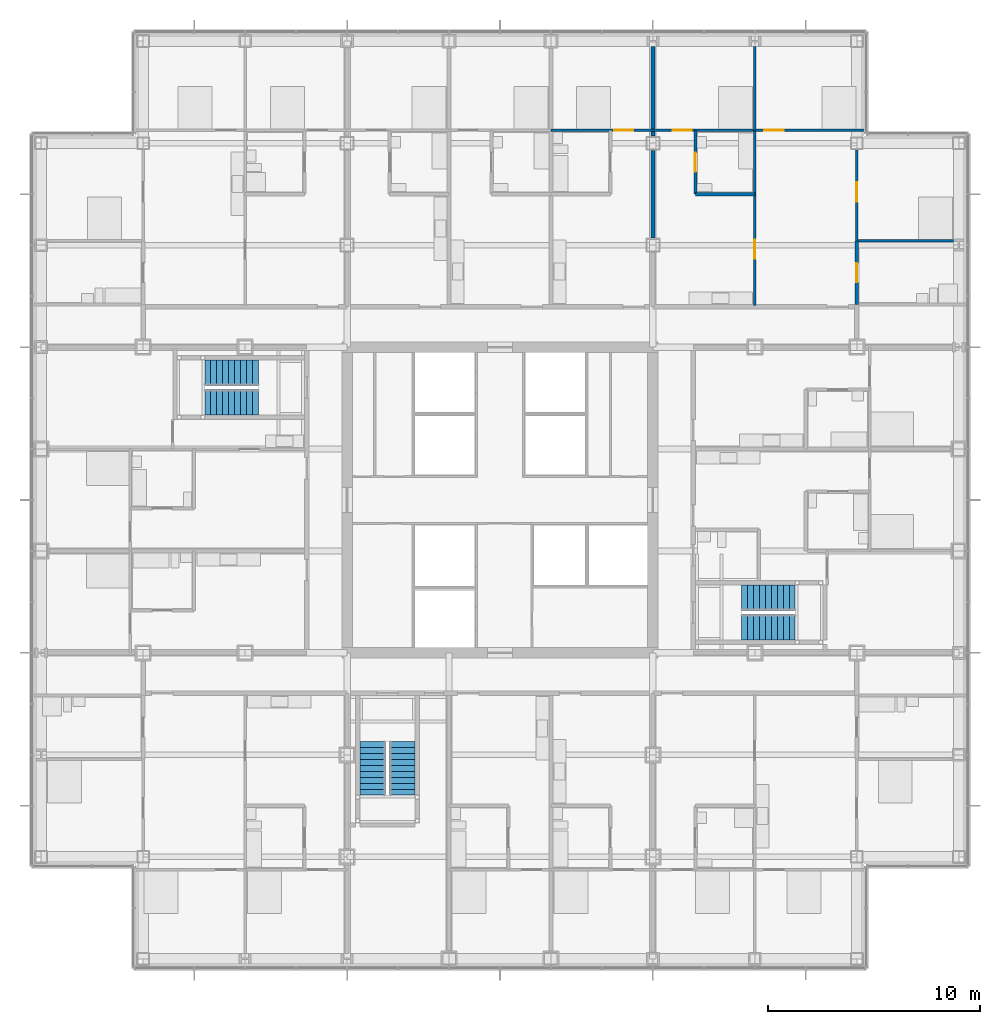
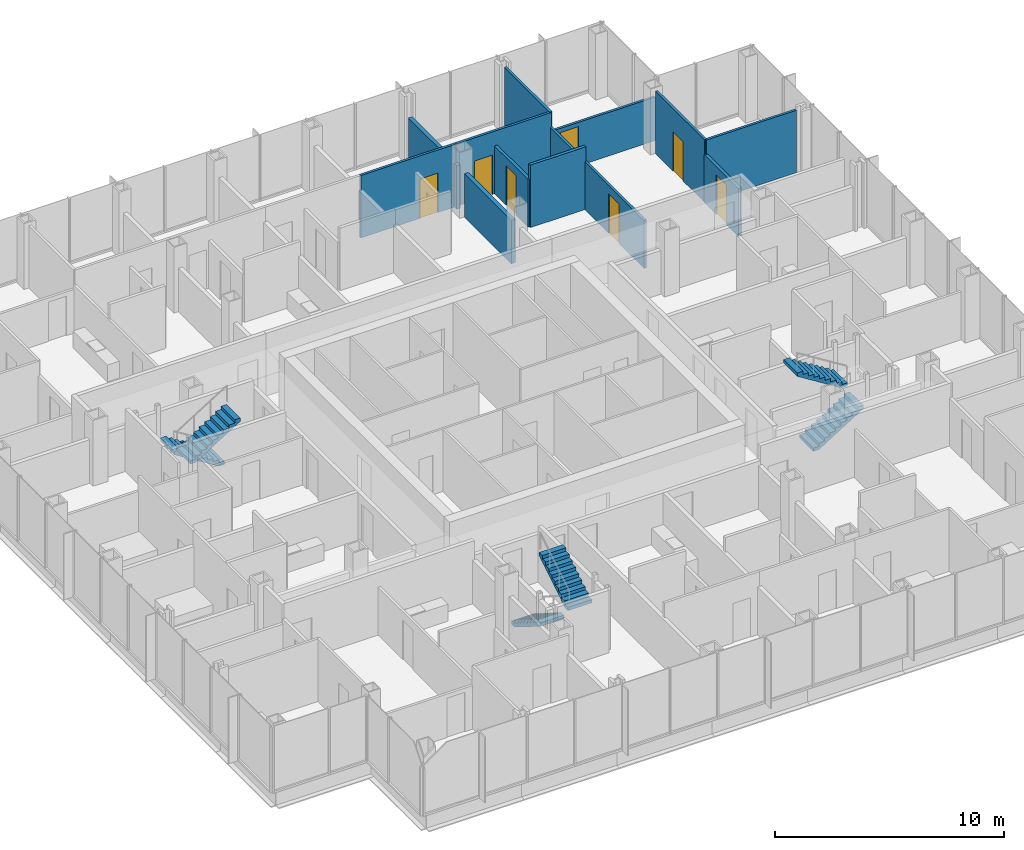
# One storey, part 18 of 21: 12 walls, 7 doors, 6 stair flights, 7 openings, 3 elements without a shape of their own.
"""IFC4 building model written with IfcOpenShell, lengths in metres."""

from ifc_helpers import new_model, si_unit, direction, frame, frame_2d, origin, place, context, subcontext, project, spatial, polyline, rectangle, outline, extrude, material, layer, layer_set, type_object, element, fill, aggregate, save


model = new_model("IFC4")

# Units and contexts
model_context = context("Model", 3, precision=1e-05, world=origin(), true_north=direction((0.0, 1.0)))
body_context = subcontext(model_context, "Body", "Model", "MODEL_VIEW")
ifc_project = project(units=[si_unit("LENGTHUNIT", "METRE"), si_unit("AREAUNIT", "SQUARE_METRE"), si_unit("VOLUMEUNIT", "CUBIC_METRE"), si_unit("PLANEANGLEUNIT", "RADIAN"), si_unit("MASSUNIT", "GRAM", prefix="KILO")], contexts=[model_context])

# Site, building, storey
site_placement = place(None, origin())
site = spatial("IfcSite", under=ifc_project, at=site_placement, CompositionType="ELEMENT")
building_placement = place(site_placement, origin())
building = spatial("IfcBuilding", under=site, at=building_placement, Name="Kvirike Care Tower", CompositionType="ELEMENT")
storey_placement = place(building_placement, frame((0.0, 0.0, 48.0)))
storey = spatial("IfcBuildingStorey", under=building, at=storey_placement, Name="L12", CompositionType="ELEMENT", Elevation=48.0)

# Wall, opening, door
ifc_material_1 = material(Name="Moisture-resistant board partition", Category="gypsum")
ifc_layer_1 = layer(ifc_material_1, 0.14990234375)
ifc_layer_set_1 = layer_set([ifc_layer_1], Name="BATHROOM WALL 150")
wall_type_1 = type_object("IfcWallType", Name="BATHROOM WALL 150", PredefinedType="PARTITIONING", material=ifc_layer_set_1)
wall_1_placement = place(storey_placement, frame((38.39990234375, 48.199951171875, 0.0), z_axis=(0.0, 0.0, 1.0), x_axis=(0.0, -1.0, 0.0)))
wall_1 = element("IfcWall", 1, at=wall_1_placement, inside=storey, type_object=wall_type_1, Name="Bathroom Wall 150 L12", PredefinedType="PARTITIONING", context=body_context, shape_type="SweptSolid", body=[
    extrude(rectangle(XDim=3.0, YDim=0.14990234375, at=frame_2d((1.5, 0.0))), origin(), (0.0, 0.0, 1.0), 2.550048828125),
])
opening_1_placement = place(wall_1_placement, frame((1.050048828125, 0.0, 0.0)))
opening_1 = element("IfcOpeningElement", 2, at=opening_1_placement, cuts=wall_1, Name="Opening 12-057", PredefinedType="OPENING", context=body_context, shape_type="SweptSolid", body=[
    extrude(rectangle(XDim=0.89990234375, YDim=2.10009765625, at=frame_2d((0.449951171875, 1.050048828125))), frame((0.0, 0.08544921875, 0.0), z_axis=(0.0, -1.0, 0.0), x_axis=(1.0, 0.0, 0.0)), (0.0, 0.0, 1.0), 0.1708984375),
])
ifc_material_2 = material(Name="Timber door set", Category="wood")
door_type_1 = type_object("IfcDoorType", Name="BATHROOM DOOR 900", OperationType="SINGLE_SWING_RIGHT", PredefinedType="DOOR", material=ifc_material_2)
door_1_placement = place(opening_1_placement, origin())
door_1 = element("IfcDoor", 3, at=door_1_placement, inside=storey, type_object=door_type_1, Name="Shower room door", OperationType="SINGLE_SWING_RIGHT", OverallHeight=2.10009765625, OverallWidth=0.89990234375, PredefinedType="DOOR", context=body_context, shape_type="SweptSolid", body=[
    extrude(rectangle(XDim=0.89990234375, YDim=2.10009765625, at=frame_2d((0.449951171875, 1.050048828125))), frame((0.0, 0.02197265625, 0.0), z_axis=(0.0, -1.0, 0.0), x_axis=(1.0, 0.0, 0.0)), (0.0, 0.0, 1.0), 0.0439453125),
])
fill(opening_1, door_1)

wall_2_placement = place(storey_placement, frame((30.800048828125, 53.39990234375, 0.0), z_axis=(0.0, 0.0, 1.0), x_axis=(0.0, -1.0, 0.0)))
wall_2 = element("IfcWall", 4, at=wall_2_placement, inside=storey, type_object=wall_type_1, Name="Bathroom Wall 150 L12", PredefinedType="PARTITIONING", context=body_context, shape_type="SweptSolid", body=[
    extrude(rectangle(XDim=3.0, YDim=0.14990234375, at=frame_2d((1.5, 0.0))), origin(), (0.0, 0.0, 1.0), 2.550048828125),
])
opening_2_placement = place(wall_2_placement, frame((1.050048828125, 0.0, 0.0)))
opening_2 = element("IfcOpeningElement", 5, at=opening_2_placement, cuts=wall_2, Name="Opening 12-058", PredefinedType="OPENING", context=body_context, shape_type="SweptSolid", body=[
    extrude(rectangle(XDim=0.89990234375, YDim=2.10009765625, at=frame_2d((0.449951171875, 1.050048828125))), frame((0.0, 0.08544921875, 0.0), z_axis=(0.0, -1.0, 0.0), x_axis=(1.0, 0.0, 0.0)), (0.0, 0.0, 1.0), 0.1708984375),
])
door_2_placement = place(opening_2_placement, origin())
door_2 = element("IfcDoor", 6, at=door_2_placement, inside=storey, type_object=door_type_1, Name="Bathroom door", OperationType="SINGLE_SWING_LEFT", OverallHeight=2.10009765625, OverallWidth=0.89990234375, PredefinedType="DOOR", context=body_context, shape_type="SweptSolid", body=[
    extrude(rectangle(XDim=0.89990234375, YDim=2.10009765625, at=frame_2d((0.449951171875, 1.050048828125))), frame((0.0, 0.02197265625, 0.0), z_axis=(0.0, -1.0, 0.0), x_axis=(1.0, 0.0, 0.0)), (0.0, 0.0, 1.0), 0.0439453125),
])
fill(opening_2, door_2)

# Wall
wall_3_placement = place(storey_placement, frame((33.60009765625, 50.39990234375, 0.0), z_axis=(0.0, 0.0, 1.0), x_axis=(-1.0, 0.0, 0.0)))
element("IfcWall", 7, at=wall_3_placement, inside=storey, type_object=wall_type_1, Name="Bathroom Wall 150 L12", PredefinedType="PARTITIONING", context=body_context, shape_type="SweptSolid", body=[
    extrude(rectangle(XDim=2.800048828125, YDim=0.14990234375, at=frame_2d((1.39990234375, 0.0))), origin(), (0.0, 0.0, 1.0), 3.330078125),
])

# Wall, opening, door
ifc_material_3 = material(Name="Plasterboard partition", Category="gypsum")
ifc_layer_2 = layer(ifc_material_3, 0.1201171875)
ifc_layer_set_2 = layer_set([ifc_layer_2], Name="PARTITION 120")
wall_type_2 = type_object("IfcWallType", Name="PARTITION 120", PredefinedType="PARTITIONING", material=ifc_layer_set_2)
wall_4_placement = place(storey_placement, frame((28.800048828125, 53.39990234375, 0.0), z_axis=(0.0, 0.0, 1.0), x_axis=(-1.0, 0.0, 0.0)))
wall_4 = element("IfcWall", 8, at=wall_4_placement, inside=storey, type_object=wall_type_2, Name="Partition 120 L12", PredefinedType="PARTITIONING", context=body_context, shape_type="SweptSolid", body=[
    extrude(rectangle(XDim=4.800048828125, YDim=0.1201171875, at=frame_2d((2.39990234375, 0.0))), origin(), (0.0, 0.0, 1.0), 3.330078125),
])
opening_3_placement = place(wall_4_placement, frame((0.925048828125, 0.0, 0.0)))
opening_3 = element("IfcOpeningElement", 9, at=opening_3_placement, cuts=wall_4, Name="Opening 12-033", PredefinedType="OPENING", context=body_context, shape_type="SweptSolid", body=[
    extrude(rectangle(XDim=0.89990234375, YDim=2.10009765625, at=frame_2d((0.449951171875, 1.050048828125))), frame((0.0, 0.070556640625, 0.0), z_axis=(0.0, -1.0, 0.0), x_axis=(1.0, 0.0, 0.0)), (0.0, 0.0, 1.0), 0.14111328125),
])
ifc_material_4 = material(Name="Timber door set", Category="wood")
door_type_2 = type_object("IfcDoorType", Name="INTERNAL DOOR 900", OperationType="SINGLE_SWING_LEFT", PredefinedType="DOOR", material=ifc_material_4)
door_3_placement = place(opening_3_placement, frame((0.89990234375, 0.0, 0.0), z_axis=(0.0, 0.0, 1.0), x_axis=(-1.0, 0.0, 0.0)))
door_3 = element("IfcDoor", 10, at=door_3_placement, inside=storey, type_object=door_type_2, Name="Studio apartment living room door", OperationType="SINGLE_SWING_LEFT", OverallHeight=2.10009765625, OverallWidth=0.89990234375, PredefinedType="DOOR", context=body_context, shape_type="SweptSolid", body=[
    extrude(rectangle(XDim=0.89990234375, YDim=2.10009765625, at=frame_2d((0.449951171875, 1.050048828125))), frame((0.0, 0.02197265625, 0.0), z_axis=(0.0, -1.0, 0.0), x_axis=(1.0, 0.0, 0.0)), (0.0, 0.0, 1.0), 0.0439453125),
])
fill(opening_3, door_3)

wall_5_placement = place(storey_placement, frame((33.60009765625, 53.39990234375, 0.0), z_axis=(0.0, 0.0, 1.0), x_axis=(0.0, -1.0, 0.0)))
wall_5 = element("IfcWall", 11, at=wall_5_placement, inside=storey, type_object=wall_type_2, Name="Partition 120 L12", PredefinedType="PARTITIONING", context=body_context, shape_type="SweptSolid", body=[
    extrude(rectangle(XDim=8.25, YDim=0.1201171875, at=frame_2d((4.125, 0.0))), origin(), (0.0, 0.0, 1.0), 2.550048828125),
])
opening_4_placement = place(wall_5_placement, frame((5.14990234375, 0.0, 0.0)))
opening_4 = element("IfcOpeningElement", 12, at=opening_4_placement, cuts=wall_5, Name="Opening 12-059", PredefinedType="OPENING", context=body_context, shape_type="SweptSolid", body=[
    extrude(rectangle(XDim=0.89990234375, YDim=2.10009765625, at=frame_2d((0.449951171875, 1.050048828125))), frame((0.0, 0.070556640625, 0.0), z_axis=(0.0, -1.0, 0.0), x_axis=(1.0, 0.0, 0.0)), (0.0, 0.0, 1.0), 0.14111328125),
])
door_4_placement = place(opening_4_placement, frame((0.89990234375, 0.0, 0.0), z_axis=(0.0, 0.0, 1.0), x_axis=(-1.0, 0.0, 0.0)))
door_4 = element("IfcDoor", 13, at=door_4_placement, inside=storey, type_object=door_type_2, Name="Hall door", OperationType="SINGLE_SWING_RIGHT", OverallHeight=2.10009765625, OverallWidth=0.89990234375, PredefinedType="DOOR", context=body_context, shape_type="SweptSolid", body=[
    extrude(rectangle(XDim=0.89990234375, YDim=2.10009765625, at=frame_2d((0.449951171875, 1.050048828125))), frame((0.0, 0.02197265625, 0.0), z_axis=(0.0, -1.0, 0.0), x_axis=(1.0, 0.0, 0.0)), (0.0, 0.0, 1.0), 0.0439453125),
])
fill(opening_4, door_4)

# Wall
wall_6_placement = place(storey_placement, frame((42.952880859375, 48.199951171875, 0.0), z_axis=(0.0, 0.0, 1.0), x_axis=(-1.0, 0.0, 0.0)))
element("IfcWall", 14, at=wall_6_placement, inside=storey, type_object=wall_type_2, Name="Partition 120 L12", PredefinedType="PARTITIONING", context=body_context, shape_type="SweptSolid", body=[
    extrude(rectangle(XDim=4.552978515625, YDim=0.1201171875, at=frame_2d((2.2763671875, 0.0))), origin(), (0.0, 0.0, 1.0), 3.330078125),
])

# Wall, opening, door
wall_7_placement = place(storey_placement, frame((38.8349609375, 53.39990234375, 0.0), z_axis=(0.0, 0.0, 1.0), x_axis=(-1.0, 0.0, 0.0)))
wall_7 = element("IfcWall", 15, at=wall_7_placement, inside=storey, type_object=wall_type_2, Name="Partition 120 L12", PredefinedType="PARTITIONING", context=body_context, shape_type="SweptSolid", body=[
    extrude(rectangle(XDim=5.23486328125, YDim=0.1201171875, at=frame_2d((2.617431640625, 0.0))), origin(), (0.0, 0.0, 1.0), 2.320068359375),
])
opening_5_placement = place(wall_7_placement, frame((3.885009765625, 0.0, 0.0)))
opening_5 = element("IfcOpeningElement", 16, at=opening_5_placement, cuts=wall_7, Name="Opening 12-060", PredefinedType="OPENING", context=body_context, shape_type="SweptSolid", body=[
    extrude(rectangle(XDim=0.89990234375, YDim=2.10009765625, at=frame_2d((0.449951171875, 1.050048828125))), frame((0.0, 0.070556640625, 0.0), z_axis=(0.0, -1.0, 0.0), x_axis=(1.0, 0.0, 0.0)), (0.0, 0.0, 1.0), 0.14111328125),
])
door_5_placement = place(opening_5_placement, frame((0.89990234375, 0.0, 0.0), z_axis=(0.0, 0.0, 1.0), x_axis=(-1.0, 0.0, 0.0)))
door_5 = element("IfcDoor", 17, at=door_5_placement, inside=storey, type_object=door_type_2, Name="Apartment bedroom door", OperationType="SINGLE_SWING_RIGHT", OverallHeight=2.10009765625, OverallWidth=0.89990234375, PredefinedType="DOOR", context=body_context, shape_type="SweptSolid", body=[
    extrude(rectangle(XDim=0.89990234375, YDim=2.10009765625, at=frame_2d((0.449951171875, 1.050048828125))), frame((0.0, 0.02197265625, 0.0), z_axis=(0.0, -1.0, 0.0), x_axis=(1.0, 0.0, 0.0)), (0.0, 0.0, 1.0), 0.0439453125),
])
fill(opening_5, door_5)

wall_8_placement = place(storey_placement, frame((33.60009765625, 53.39990234375, 0.0), z_axis=(0.0, 0.0, 1.0), x_axis=(-1.0, 0.0, 0.0)))
wall_8 = element("IfcWall", 18, at=wall_8_placement, inside=storey, type_object=wall_type_2, Name="Partition 120 L12", PredefinedType="PARTITIONING", context=body_context, shape_type="SweptSolid", body=[
    extrude(rectangle(XDim=4.800048828125, YDim=0.1201171875, at=frame_2d((2.39990234375, 0.0))), origin(), (0.0, 0.0, 1.0), 3.330078125),
])
opening_6_placement = place(wall_8_placement, frame((2.97509765625, 0.0, 0.0)))
opening_6 = element("IfcOpeningElement", 19, at=opening_6_placement, cuts=wall_8, Name="Opening 12-061", PredefinedType="OPENING", context=body_context, shape_type="SweptSolid", body=[
    extrude(rectangle(XDim=0.89990234375, YDim=2.10009765625, at=frame_2d((0.449951171875, 1.050048828125))), frame((0.0, 0.070556640625, 0.0), z_axis=(0.0, -1.0, 0.0), x_axis=(1.0, 0.0, 0.0)), (0.0, 0.0, 1.0), 0.14111328125),
])
door_6_placement = place(opening_6_placement, frame((0.89990234375, 0.0, 0.0), z_axis=(0.0, 0.0, 1.0), x_axis=(-1.0, 0.0, 0.0)))
door_6 = element("IfcDoor", 20, at=door_6_placement, inside=storey, type_object=door_type_2, Name="Apartment bedroom door", OperationType="SINGLE_SWING_LEFT", OverallHeight=2.10009765625, OverallWidth=0.89990234375, PredefinedType="DOOR", context=body_context, shape_type="SweptSolid", body=[
    extrude(rectangle(XDim=0.89990234375, YDim=2.10009765625, at=frame_2d((0.449951171875, 1.050048828125))), frame((0.0, 0.02197265625, 0.0), z_axis=(0.0, -1.0, 0.0), x_axis=(1.0, 0.0, 0.0)), (0.0, 0.0, 1.0), 0.0439453125),
])
fill(opening_6, door_6)

wall_9_placement = place(storey_placement, frame((38.39990234375, 52.47998046875, 0.0), z_axis=(0.0, 0.0, 1.0), x_axis=(0.0, -1.0, 0.0)))
wall_9 = element("IfcWall", 21, at=wall_9_placement, inside=storey, type_object=wall_type_2, Name="Partition 120 L12", PredefinedType="PARTITIONING", context=body_context, shape_type="SweptSolid", body=[
    extrude(rectangle(XDim=4.280029296875, YDim=0.1201171875, at=frame_2d((2.14013671875, 0.0))), origin(), (0.0, 0.0, 1.0), 3.330078125),
])
opening_7_placement = place(wall_9_placement, frame((1.530029296875, 0.0, 0.0)))
opening_7 = element("IfcOpeningElement", 22, at=opening_7_placement, cuts=wall_9, Name="Opening 12-062", PredefinedType="OPENING", context=body_context, shape_type="SweptSolid", body=[
    extrude(rectangle(XDim=0.89990234375, YDim=2.10009765625, at=frame_2d((0.449951171875, 1.050048828125))), frame((0.0, 0.070556640625, 0.0), z_axis=(0.0, -1.0, 0.0), x_axis=(1.0, 0.0, 0.0)), (0.0, 0.0, 1.0), 0.14111328125),
])
door_7_placement = place(opening_7_placement, origin())
door_7 = element("IfcDoor", 23, at=door_7_placement, inside=storey, type_object=door_type_2, Name="Connecting door", OperationType="SINGLE_SWING_RIGHT", OverallHeight=2.10009765625, OverallWidth=0.89990234375, PredefinedType="DOOR", context=body_context, shape_type="SweptSolid", body=[
    extrude(rectangle(XDim=0.89990234375, YDim=2.10009765625, at=frame_2d((0.449951171875, 1.050048828125))), frame((0.0, 0.02197265625, 0.0), z_axis=(0.0, -1.0, 0.0), x_axis=(1.0, 0.0, 0.0)), (0.0, 0.0, 1.0), 0.0439453125),
])
fill(opening_7, door_7)

# Walls
wall_10_placement = place(storey_placement, frame((33.60009765625, 57.35302734375, 0.0), z_axis=(0.0, 0.0, 1.0), x_axis=(0.0, -1.0, 0.0)))
element("IfcWall", 24, at=wall_10_placement, inside=storey, type_object=wall_type_2, Name="Partition 120 L12", PredefinedType="PARTITIONING", context=body_context, shape_type="SweptSolid", body=[
    extrude(rectangle(XDim=3.953125, YDim=0.1201171875, at=frame_2d((1.9765625, 0.0))), origin(), (0.0, 0.0, 1.0), 3.330078125),
])
ifc_material_5 = material(Name="Plasterboard party wall", Category="gypsum")
ifc_layer_3 = layer(ifc_material_5, 0.199951171875)
ifc_layer_set_3 = layer_set([ifc_layer_3], Name="PARTY WALL 200")
wall_type_3 = type_object("IfcWallType", Name="PARTY WALL 200", PredefinedType="PARTITIONING", material=ifc_layer_set_3)
wall_11_placement = place(storey_placement, frame((28.800048828125, 48.344970703125, 0.0), z_axis=(0.0, 0.0, 1.0), x_axis=(0.0, 1.0, 0.0)))
element("IfcWall", 25, at=wall_11_placement, inside=storey, type_object=wall_type_3, Name="Party Wall 200 L12", PredefinedType="PARTITIONING", context=body_context, shape_type="SweptSolid", body=[
    extrude(rectangle(XDim=4.110107421875, YDim=0.199951171875, at=frame_2d((2.05517578125, 0.0))), origin(), (0.0, 0.0, 1.0), 2.320068359375),
])
wall_12_placement = place(storey_placement, frame((28.800048828125, 53.14501953125, 0.0), z_axis=(0.0, 0.0, 1.0), x_axis=(0.0, 1.0, 0.0)))
element("IfcWall", 26, at=wall_12_placement, inside=storey, type_object=wall_type_3, Name="Party Wall 200 L12", PredefinedType="PARTITIONING", context=body_context, shape_type="SweptSolid", body=[
    extrude(rectangle(XDim=4.2080078125, YDim=0.199951171875, at=frame_2d((2.10400390625, 0.0))), origin(), (0.0, 0.0, 1.0), 2.320068359375),
])

# Stair, stair flights
ifc_material_6 = material(Name="Concrete C35/45", Category="concrete")
stair_type = type_object("IfcStairType", Name="STAIR 20 RISERS", PredefinedType="HALF_TURN_STAIR", material=ifc_material_6)
stair_1_placement = place(storey_placement, origin())
stair_1 = element("IfcStair", 27, at=stair_1_placement, inside=storey, type_object=stair_type, Name="Stair 1 L12", PredefinedType="HALF_TURN_STAIR")
ifc_material_7 = material(Name="Concrete C35/45", Category="concrete")
stair_flight_type = type_object("IfcStairFlightType", Name="FLIGHT 10 RISERS", PredefinedType="STRAIGHT", material=ifc_material_7)
stair_flight_1_placement = place(storey_placement, frame((10.219970703125, 42.0, 0.0), z_axis=(0.0, 0.0, 1.0), x_axis=(-1.0, 0.0, 0.0)))
stair_flight_1 = element("IfcStairFlight", 28, at=stair_flight_1_placement, type_object=stair_flight_type, Name="Stair S1 flight 1 L12-L13", NumberOfRisers=10, NumberOfTreads=9, PredefinedType="STRAIGHT", RiserHeight=0.175, TreadLength=0.28, context=body_context, shape_type="SweptSolid", body=[
    extrude(outline(polyline([(0.0, 0.0), (0.0, 0.175048828125), (0.280029296875, 0.175048828125), (0.280029296875, 0.35009765625), (0.56005859375, 0.35009765625), (0.56005859375, 0.52490234375), (0.840087890625, 0.52490234375), (0.840087890625, 0.699951171875), (1.1201171875, 0.699951171875), (1.1201171875, 0.875), (1.39990234375, 0.875), (1.39990234375, 1.050048828125), (1.679931640625, 1.050048828125), (1.679931640625, 1.22509765625), (1.9599609375, 1.22509765625), (1.9599609375, 1.39990234375), (2.239990234375, 1.39990234375), (2.239990234375, 1.574951171875), (2.52001953125, 1.574951171875), (2.52001953125, 1.75), (2.52001953125, 1.398193359375), (0.28271484375, 0.0), (0.0, 0.0)])), frame((0.0, 0.60009765625, 0.0), z_axis=(0.0, -1.0, 0.0), x_axis=(1.0, 0.0, 0.0)), (0.0, 0.0, 1.0), 1.199951171875),
])
stair_flight_2_placement = place(storey_placement, frame((7.699951171875, 40.60009765625, 1.75), z_axis=(0.0, 0.0, 1.0), x_axis=(1.0, 0.0, 0.0)))
stair_flight_2 = element("IfcStairFlight", 29, at=stair_flight_2_placement, type_object=stair_flight_type, Name="Stair S1 flight 2 L12-L13", NumberOfRisers=10, NumberOfTreads=9, PredefinedType="STRAIGHT", RiserHeight=0.175, TreadLength=0.28, context=body_context, shape_type="SweptSolid", body=[
    extrude(outline(polyline([(0.0, 0.0), (0.0, 0.175048828125), (0.280029296875, 0.175048828125), (0.280029296875, 0.35009765625), (0.56005859375, 0.35009765625), (0.56005859375, 0.52490234375), (0.840087890625, 0.52490234375), (0.840087890625, 0.699951171875), (1.1201171875, 0.699951171875), (1.1201171875, 0.875), (1.39990234375, 0.875), (1.39990234375, 1.050048828125), (1.679931640625, 1.050048828125), (1.679931640625, 1.22509765625), (1.9599609375, 1.22509765625), (1.9599609375, 1.39990234375), (2.239990234375, 1.39990234375), (2.239990234375, 1.574951171875), (2.52001953125, 1.574951171875), (2.52001953125, 1.75), (2.52001953125, 1.398193359375), (0.28271484375, 0.0), (0.0, 0.0)])), frame((0.0, 0.60009765625, 0.0), z_axis=(0.0, -1.0, 0.0), x_axis=(1.0, 0.0, 0.0)), (0.0, 0.0, 1.0), 1.199951171875),
])
aggregate(stair_1, [stair_flight_1, stair_flight_2])

stair_2_placement = place(storey_placement, origin())
stair_2 = element("IfcStair", 30, at=stair_2_placement, inside=storey, type_object=stair_type, Name="Stair 2 L12", PredefinedType="HALF_TURN_STAIR")
stair_flight_3_placement = place(storey_placement, frame((32.97998046875, 30.0, 0.0), z_axis=(0.0, 0.0, 1.0), x_axis=(1.0, 0.0, 0.0)))
stair_flight_3 = element("IfcStairFlight", 31, at=stair_flight_3_placement, type_object=stair_flight_type, Name="Stair S2 flight 1 L12-L13", NumberOfRisers=10, NumberOfTreads=9, PredefinedType="STRAIGHT", RiserHeight=0.175, TreadLength=0.28, context=body_context, shape_type="SweptSolid", body=[
    extrude(outline(polyline([(0.0, 0.0), (0.0, 0.175048828125), (0.280029296875, 0.175048828125), (0.280029296875, 0.35009765625), (0.56005859375, 0.35009765625), (0.56005859375, 0.52490234375), (0.840087890625, 0.52490234375), (0.840087890625, 0.699951171875), (1.1201171875, 0.699951171875), (1.1201171875, 0.875), (1.39990234375, 0.875), (1.39990234375, 1.050048828125), (1.679931640625, 1.050048828125), (1.679931640625, 1.22509765625), (1.9599609375, 1.22509765625), (1.9599609375, 1.39990234375), (2.239990234375, 1.39990234375), (2.239990234375, 1.574951171875), (2.52001953125, 1.574951171875), (2.52001953125, 1.75), (2.52001953125, 1.398193359375), (0.28271484375, 0.0), (0.0, 0.0)])), frame((0.0, 0.60009765625, 0.0), z_axis=(0.0, -1.0, 0.0), x_axis=(1.0, 0.0, 0.0)), (0.0, 0.0, 1.0), 1.199951171875),
])
stair_flight_4_placement = place(storey_placement, frame((35.5, 31.39990234375, 1.75), z_axis=(0.0, 0.0, 1.0), x_axis=(-1.0, 0.0, 0.0)))
stair_flight_4 = element("IfcStairFlight", 32, at=stair_flight_4_placement, type_object=stair_flight_type, Name="Stair S2 flight 2 L12-L13", NumberOfRisers=10, NumberOfTreads=9, PredefinedType="STRAIGHT", RiserHeight=0.175, TreadLength=0.28, context=body_context, shape_type="SweptSolid", body=[
    extrude(outline(polyline([(0.0, 0.0), (0.0, 0.175048828125), (0.280029296875, 0.175048828125), (0.280029296875, 0.35009765625), (0.56005859375, 0.35009765625), (0.56005859375, 0.52490234375), (0.840087890625, 0.52490234375), (0.840087890625, 0.699951171875), (1.1201171875, 0.699951171875), (1.1201171875, 0.875), (1.39990234375, 0.875), (1.39990234375, 1.050048828125), (1.679931640625, 1.050048828125), (1.679931640625, 1.22509765625), (1.9599609375, 1.22509765625), (1.9599609375, 1.39990234375), (2.239990234375, 1.39990234375), (2.239990234375, 1.574951171875), (2.52001953125, 1.574951171875), (2.52001953125, 1.75), (2.52001953125, 1.398193359375), (0.28271484375, 0.0), (0.0, 0.0)])), frame((0.0, 0.60009765625, 0.0), z_axis=(0.0, -1.0, 0.0), x_axis=(1.0, 0.0, 0.0)), (0.0, 0.0, 1.0), 1.199951171875),
])
aggregate(stair_2, [stair_flight_3, stair_flight_4])

stair_3_placement = place(storey_placement, origin())
stair_3 = element("IfcStair", 33, at=stair_3_placement, inside=storey, type_object=stair_type, Name="Stair 5 L12", PredefinedType="HALF_TURN_STAIR")
stair_flight_5_placement = place(storey_placement, frame((15.60009765625, 24.6201171875, 0.0), z_axis=(0.0, 0.0, 1.0), x_axis=(0.0, -1.0, 0.0)))
stair_flight_5 = element("IfcStairFlight", 34, at=stair_flight_5_placement, type_object=stair_flight_type, Name="Stair S5 flight 1 L12-L13", NumberOfRisers=10, NumberOfTreads=9, PredefinedType="STRAIGHT", RiserHeight=0.175, TreadLength=0.28, context=body_context, shape_type="SweptSolid", body=[
    extrude(outline(polyline([(0.0, 0.0), (0.0, 0.175048828125), (0.280029296875, 0.175048828125), (0.280029296875, 0.35009765625), (0.56005859375, 0.35009765625), (0.56005859375, 0.52490234375), (0.840087890625, 0.52490234375), (0.840087890625, 0.699951171875), (1.1201171875, 0.699951171875), (1.1201171875, 0.875), (1.39990234375, 0.875), (1.39990234375, 1.050048828125), (1.679931640625, 1.050048828125), (1.679931640625, 1.22509765625), (1.9599609375, 1.22509765625), (1.9599609375, 1.39990234375), (2.239990234375, 1.39990234375), (2.239990234375, 1.574951171875), (2.52001953125, 1.574951171875), (2.52001953125, 1.75), (2.52001953125, 1.398193359375), (0.28271484375, 0.0), (0.0, 0.0)])), frame((0.0, 0.60009765625, 0.0), z_axis=(0.0, -1.0, 0.0), x_axis=(1.0, 0.0, 0.0)), (0.0, 0.0, 1.0), 1.199951171875),
])
stair_flight_6_placement = place(storey_placement, frame((17.0, 22.10009765625, 1.75), z_axis=(0.0, 0.0, 1.0), x_axis=(0.0, 1.0, 0.0)))
stair_flight_6 = element("IfcStairFlight", 35, at=stair_flight_6_placement, type_object=stair_flight_type, Name="Stair S5 flight 2 L12-L13", NumberOfRisers=10, NumberOfTreads=9, PredefinedType="STRAIGHT", RiserHeight=0.175, TreadLength=0.28, context=body_context, shape_type="SweptSolid", body=[
    extrude(outline(polyline([(0.0, 0.0), (0.0, 0.175048828125), (0.280029296875, 0.175048828125), (0.280029296875, 0.35009765625), (0.56005859375, 0.35009765625), (0.56005859375, 0.52490234375), (0.840087890625, 0.52490234375), (0.840087890625, 0.699951171875), (1.1201171875, 0.699951171875), (1.1201171875, 0.875), (1.39990234375, 0.875), (1.39990234375, 1.050048828125), (1.679931640625, 1.050048828125), (1.679931640625, 1.22509765625), (1.9599609375, 1.22509765625), (1.9599609375, 1.39990234375), (2.239990234375, 1.39990234375), (2.239990234375, 1.574951171875), (2.52001953125, 1.574951171875), (2.52001953125, 1.75), (2.52001953125, 1.398193359375), (0.28271484375, 0.0), (0.0, 0.0)])), frame((0.0, 0.60009765625, 0.0), z_axis=(0.0, -1.0, 0.0), x_axis=(1.0, 0.0, 0.0)), (0.0, 0.0, 1.0), 1.199951171875),
])
aggregate(stair_3, [stair_flight_5, stair_flight_6])

save(model, "model.ifc")
